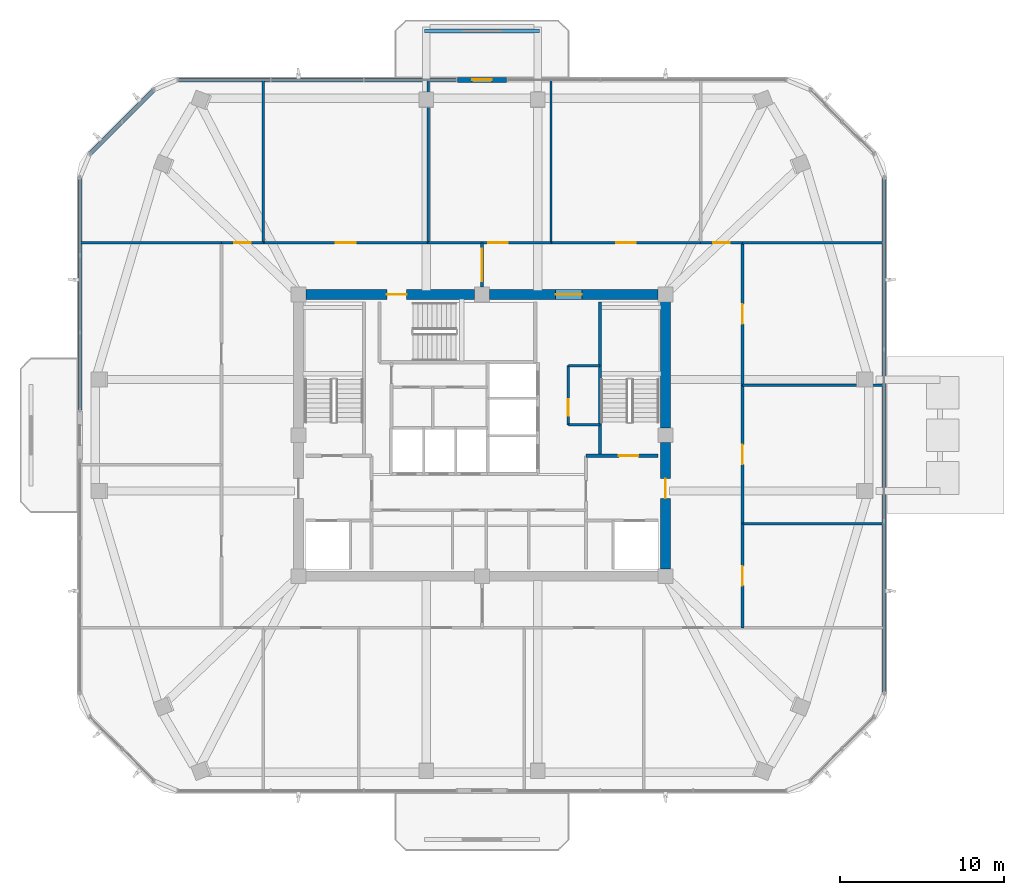
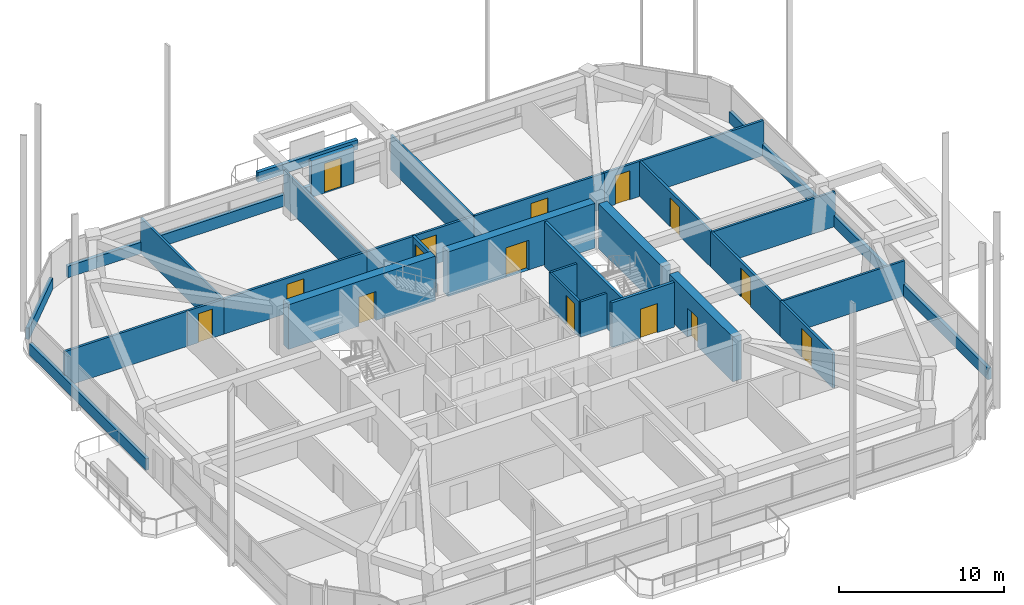
# One storey, part 9 of 14: 31 walls, 15 doors, 15 openings.
"""IFC4 building model written with IfcOpenShell, lengths in metres."""

from ifc_helpers import new_model, si_unit, derived_unit, direction, frame, frame_2d, origin, place, context, subcontext, project, spatial, rectangle, extrude, material, layer, layer_set, type_object, element, fill, save


model = new_model("IFC4")

# Units and contexts
model_context = context("Model", 3, precision=1e-05, world=origin(), true_north=direction((0.0, 1.0)))
body_context = subcontext(model_context, "Body", "Model", "MODEL_VIEW")
ifc_project = project(units=[si_unit("LENGTHUNIT", "METRE"), si_unit("AREAUNIT", "SQUARE_METRE"), si_unit("VOLUMEUNIT", "CUBIC_METRE"), si_unit("PLANEANGLEUNIT", "RADIAN"), si_unit("MASSUNIT", "GRAM", prefix="KILO"), derived_unit("THERMALTRANSMITTANCEUNIT", [(si_unit("POWERUNIT", "WATT"), 1), (si_unit("LENGTHUNIT", "METRE"), -2), (si_unit("THERMODYNAMICTEMPERATUREUNIT", "KELVIN"), -1)])], contexts=[model_context])

# Site, building, storey
site_placement = place(None, origin())
site = spatial("IfcSite", under=ifc_project, at=site_placement, CompositionType="ELEMENT")
building_placement = place(site_placement, origin())
building = spatial("IfcBuilding", under=site, at=building_placement, Name="Koralith Skygarden Medical Center", CompositionType="ELEMENT")
storey_placement = place(building_placement, frame((0.0, 0.0, 192.780029296875)))
storey = spatial("IfcBuildingStorey", under=building, at=storey_placement, Name="L49", CompositionType="ELEMENT", Elevation=192.780029296875)

# Wall, opening, door
ifc_material_1 = material(Name="Gypsum Board Partition")
ifc_layer_1 = layer(ifc_material_1, 0.14990234375)
ifc_layer_set_1 = layer_set([ifc_layer_1], Name="Gypsum Board Partition")
wall_type_1 = type_object("IfcWallType", Name="Clinical Acoustic Partition 150", PredefinedType="PARTITIONING", material=ifc_layer_set_1)
wall_1_placement = place(storey_placement, frame((42.27001953125, 26.5400390625, 0.0), z_axis=(0.0, 0.0, 1.0), x_axis=(0.0, 1.0, 0.0)))
wall_1 = element("IfcWall", 1, at=wall_1_placement, inside=storey, type_object=wall_type_1, Name="L49 Clinical Acoustic Partition 150 W-CORE-L49-ESUB-W", PredefinedType="PARTITIONING", context=body_context, shape_type="SweptSolid", body=[
    extrude(rectangle(XDim=3.619873046875, YDim=0.14990234375, at=frame_2d((1.81005859375, 0.0))), origin(), (0.0, 0.0, 1.0), 2.60986328125),
])
opening_1_placement = place(wall_1_placement, frame((0.550048828125, 0.0, 0.0)))
opening_1 = element("IfcOpeningElement", 2, at=opening_1_placement, cuts=wall_1, Name="Opening D-SUP", PredefinedType="OPENING", context=body_context, shape_type="SweptSolid", body=[
    extrude(rectangle(XDim=1.0, YDim=2.14990234375, at=frame_2d((0.5, 1.074951171875))), frame((0.0, 0.0849609375, 0.0), z_axis=(0.0, -1.0, 0.0), x_axis=(1.0, 0.0, 0.0)), (0.0, 0.0, 1.0), 0.169921875),
])
ifc_material_2 = material(Name="Aluminium 6063-T6", Category="aluminium")
door_type_1 = type_object("IfcDoorType", Name="Clinical Support Door D-SUP 1000", OperationType="NOTDEFINED", PredefinedType="DOOR", material=ifc_material_2)
door_1_placement = place(opening_1_placement, origin())
door_1 = element("IfcDoor", 3, at=door_1_placement, inside=storey, type_object=door_type_1, Name="L49 Core Equipment Store Door", OperationType="SINGLE_SWING_LEFT", OverallHeight=2.14990234375, OverallWidth=1.0, PredefinedType="DOOR", context=body_context, shape_type="SweptSolid", body=[
    extrude(rectangle(XDim=1.0, YDim=2.14990234375, at=frame_2d((0.5, 1.074951171875))), frame((0.0, 0.02490234375, 0.0), z_axis=(0.0, -1.0, 0.0), x_axis=(1.0, 0.0, 0.0)), (0.0, 0.0, 1.0), 0.050048828125),
])
fill(opening_1, door_1)

# Walls
for number, where, z_axis, x_axis, name in (
    (4, (42.27001953125, 26.5400390625, 0.0), (0.0, 0.0, 1.0), (1.0, 0.0, 0.0), "L49 Clinical Acoustic Partition 150 W-CORE-L49-ESUB-S"),
    (5, (42.27001953125, 30.159912109375, 0.0), (0.0, 0.0, 1.0), (1.0, 0.0, 0.0), "L49 Clinical Acoustic Partition 150 W-CORE-L49-ESUB-N"),
):
    element("IfcWall", number, at=place(storey_placement, frame(where, z_axis=z_axis, x_axis=x_axis)), inside=storey, type_object=wall_type_1, Name=name, PredefinedType="PARTITIONING", context=body_context, shape_type="SweptSolid", body=[
        extrude(rectangle(XDim=1.929931640625, YDim=0.14990234375, at=frame_2d((0.96484375, 0.0))), origin(), (0.0, 0.0, 1.0), 2.60986328125),
    ])
for number, where, z_axis, x_axis, name in (
    (6, (23.64990234375, 37.64990234375, 0.0), (0.0, 0.0, 1.0), (0.0, 1.0, 0.0), "L49 Clinical Acoustic Partition 150 W-PART-L49-N-01"),
    (7, (33.708984375, 37.64990234375, 0.0), (0.0, 0.0, 1.0), (0.0, 1.0, 0.0), "L49 Clinical Acoustic Partition 150 W-PART-L49-N-02"),
    (8, (41.2119140625, 37.64990234375, 0.0), (0.0, 0.0, 1.0), (0.0, 1.0, 0.0), "L49 Clinical Acoustic Partition 150 W-PART-L49-N-03"),
):
    element("IfcWall", number, at=place(storey_placement, frame(where, z_axis=z_axis, x_axis=x_axis)), inside=storey, type_object=wall_type_1, Name=name, PredefinedType="PARTITIONING", context=body_context, shape_type="SweptSolid", body=[
        extrude(rectangle(XDim=9.925048828125, YDim=0.14990234375, at=frame_2d((4.96240234375, 0.0))), origin(), (0.0, 0.0, 1.0), 2.60986328125),
    ])
for number, where, z_axis, x_axis, name in (
    (9, (52.89990234375, 20.4951171875, 0.0), (0.0, 0.0, 1.0), (1.0, 0.0, 0.0), "L49 Clinical Acoustic Partition 150 W-PART-L49-E-01"),
    (10, (52.89990234375, 28.955078125, 0.0), (0.0, 0.0, 1.0), (1.0, 0.0, 0.0), "L49 Clinical Acoustic Partition 150 W-PART-L49-E-02"),
):
    element("IfcWall", number, at=place(storey_placement, frame(where, z_axis=z_axis, x_axis=x_axis)), inside=storey, type_object=wall_type_1, Name=name, PredefinedType="PARTITIONING", context=body_context, shape_type="SweptSolid", body=[
        extrude(rectangle(XDim=8.623046875, YDim=0.14990234375, at=frame_2d((4.3115234375, 0.0))), origin(), (0.0, 0.0, 1.0), 2.60986328125),
    ])
ifc_layer_2 = layer(ifc_material_1, 0.1650390625)
ifc_layer_set_2 = layer_set([ifc_layer_2], Name="Gypsum Board Partition")
wall_type_2 = type_object("IfcWallType", Name="Clinical Corridor Partition 165", PredefinedType="PARTITIONING", material=ifc_layer_set_2)
wall_2_placement = place(storey_placement, frame((12.47607421875, 37.64990234375, 0.0), z_axis=(0.0, 0.0, 1.0), x_axis=(1.0, 0.0, 0.0)))
element("IfcWall", 11, at=wall_2_placement, inside=storey, type_object=wall_type_2, Name="L49 Clinical Corridor Partition 165 W-WB-L49-NW", PredefinedType="PARTITIONING", context=body_context, shape_type="SweptSolid", body=[
    extrude(rectangle(XDim=8.6240234375, YDim=0.1650390625, at=frame_2d((4.31201171875, 0.0))), origin(), (0.0, 0.0, 1.0), 2.60986328125),
])
wall_3_placement = place(storey_placement, frame((52.89990234375, 37.64990234375, 0.0), z_axis=(0.0, 0.0, 1.0), x_axis=(1.0, 0.0, 0.0)))
element("IfcWall", 12, at=wall_3_placement, inside=storey, type_object=wall_type_2, Name="L49 Clinical Corridor Partition 165 W-WB-L49-NE", PredefinedType="PARTITIONING", context=body_context, shape_type="SweptSolid", body=[
    extrude(rectangle(XDim=8.623046875, YDim=0.1650390625, at=frame_2d((4.3115234375, 0.0))), origin(), (0.0, 0.0, 1.0), 2.60986328125),
])

# Wall, opening, door
wall_4_placement = place(storey_placement, frame((21.10009765625, 37.64990234375, 0.0), z_axis=(0.0, 0.0, 1.0), x_axis=(1.0, 0.0, 0.0)))
wall_4 = element("IfcWall", 13, at=wall_4_placement, inside=storey, type_object=wall_type_2, Name="L49 Clinical Corridor Partition 165 W-CORR-L49-N-01", PredefinedType="PARTITIONING", context=body_context, shape_type="SweptSolid", body=[
    extrude(rectangle(XDim=2.5498046875, YDim=0.1650390625, at=frame_2d((1.27490234375, 0.0))), origin(), (0.0, 0.0, 1.0), 2.60986328125),
])
opening_2_placement = place(wall_4_placement, frame((0.77490234375, 0.0, 0.0)))
opening_2 = element("IfcOpeningElement", 14, at=opening_2_placement, cuts=wall_4, Name="Opening D-SUP", PredefinedType="OPENING", context=body_context, shape_type="SweptSolid", body=[
    extrude(rectangle(XDim=1.0, YDim=2.14990234375, at=frame_2d((0.5, 1.074951171875))), frame((0.0, 0.092529296875, 0.0), z_axis=(0.0, -1.0, 0.0), x_axis=(1.0, 0.0, 0.0)), (0.0, 0.0, 1.0), 0.18505859375),
])
door_2_placement = place(opening_2_placement, origin())
door_2 = element("IfcDoor", 15, at=door_2_placement, inside=storey, type_object=door_type_1, Name="L49 Bariatric Nutrition Teaching Pantry 01 Door", OperationType="SINGLE_SWING_RIGHT", OverallHeight=2.14990234375, OverallWidth=1.0, PredefinedType="DOOR", context=body_context, shape_type="SweptSolid", body=[
    extrude(rectangle(XDim=1.0, YDim=2.14990234375, at=frame_2d((0.5, 1.074951171875))), frame((0.0, 0.02490234375, 0.0), z_axis=(0.0, -1.0, 0.0), x_axis=(1.0, 0.0, 0.0)), (0.0, 0.0, 1.0), 0.050048828125),
])
fill(opening_2, door_2)

wall_5_placement = place(storey_placement, frame((23.64990234375, 37.64990234375, 0.0), z_axis=(0.0, 0.0, 1.0), x_axis=(1.0, 0.0, 0.0)))
wall_5 = element("IfcWall", 16, at=wall_5_placement, inside=storey, type_object=wall_type_2, Name="L49 Clinical Corridor Partition 165 W-CORR-L49-N-02", PredefinedType="PARTITIONING", context=body_context, shape_type="SweptSolid", body=[
    extrude(rectangle(XDim=10.05908203125, YDim=0.1650390625, at=frame_2d((5.029541015625, 0.0))), origin(), (0.0, 0.0, 1.0), 2.60986328125),
])
opening_3_placement = place(wall_5_placement, frame((4.429931640625, 0.0, 0.0)))
opening_3 = element("IfcOpeningElement", 17, at=opening_3_placement, cuts=wall_5, Name="Opening D-CLN", PredefinedType="OPENING", context=body_context, shape_type="SweptSolid", body=[
    extrude(rectangle(XDim=1.199951171875, YDim=2.14990234375, at=frame_2d((0.60009765625, 1.074951171875))), frame((0.0, 0.092529296875, 0.0), z_axis=(0.0, -1.0, 0.0), x_axis=(1.0, 0.0, 0.0)), (0.0, 0.0, 1.0), 0.18505859375),
])
door_type_2 = type_object("IfcDoorType", Name="Clinical Corridor Door D-CLN 1200", OperationType="NOTDEFINED", PredefinedType="DOOR", material=ifc_material_2)
door_3_placement = place(opening_3_placement, origin())
door_3 = element("IfcDoor", 18, at=door_3_placement, inside=storey, type_object=door_type_2, Name="L49 Clinical Dietetics Pantry 02 Door", OperationType="SINGLE_SWING_LEFT", OverallHeight=2.14990234375, OverallWidth=1.199951171875, PredefinedType="DOOR", context=body_context, shape_type="SweptSolid", body=[
    extrude(rectangle(XDim=1.199951171875, YDim=2.14990234375, at=frame_2d((0.60009765625, 1.074951171875))), frame((0.0, 0.02490234375, 0.0), z_axis=(0.0, -1.0, 0.0), x_axis=(1.0, 0.0, 0.0)), (0.0, 0.0, 1.0), 0.050048828125),
])
fill(opening_3, door_3)

wall_6_placement = place(storey_placement, frame((33.708984375, 37.64990234375, 0.0), z_axis=(0.0, 0.0, 1.0), x_axis=(1.0, 0.0, 0.0)))
wall_6 = element("IfcWall", 19, at=wall_6_placement, inside=storey, type_object=wall_type_2, Name="L49 Clinical Corridor Partition 165 W-CORR-L49-N-03", PredefinedType="PARTITIONING", context=body_context, shape_type="SweptSolid", body=[
    extrude(rectangle(XDim=7.5029296875, YDim=0.1650390625, at=frame_2d((3.75146484375, 0.0))), origin(), (0.0, 0.0, 1.0), 2.60986328125),
])
opening_4_placement = place(wall_6_placement, frame((3.6630859375, 0.0, 0.0)))
opening_4 = element("IfcOpeningElement", 20, at=opening_4_placement, cuts=wall_6, Name="Opening D-CLN", PredefinedType="OPENING", context=body_context, shape_type="SweptSolid", body=[
    extrude(rectangle(XDim=1.199951171875, YDim=2.14990234375, at=frame_2d((0.60009765625, 1.074951171875))), frame((0.0, 0.092529296875, 0.0), z_axis=(0.0, -1.0, 0.0), x_axis=(1.0, 0.0, 0.0)), (0.0, 0.0, 1.0), 0.18505859375),
])
door_4_placement = place(opening_4_placement, origin())
door_4 = element("IfcDoor", 21, at=door_4_placement, inside=storey, type_object=door_type_2, Name="L49 Patient and Family Sky-Garden Day Lounge 03 Door", OperationType="SINGLE_SWING_RIGHT", OverallHeight=2.14990234375, OverallWidth=1.199951171875, PredefinedType="DOOR", context=body_context, shape_type="SweptSolid", body=[
    extrude(rectangle(XDim=1.199951171875, YDim=2.14990234375, at=frame_2d((0.60009765625, 1.074951171875))), frame((0.0, 0.02490234375, 0.0), z_axis=(0.0, -1.0, 0.0), x_axis=(1.0, 0.0, 0.0)), (0.0, 0.0, 1.0), 0.050048828125),
])
fill(opening_4, door_4)

wall_7_placement = place(storey_placement, frame((41.2119140625, 37.64990234375, 0.0), z_axis=(0.0, 0.0, 1.0), x_axis=(1.0, 0.0, 0.0)))
wall_7 = element("IfcWall", 22, at=wall_7_placement, inside=storey, type_object=wall_type_2, Name="L49 Clinical Corridor Partition 165 W-CORR-L49-N-04", PredefinedType="PARTITIONING", context=body_context, shape_type="SweptSolid", body=[
    extrude(rectangle(XDim=9.13818359375, YDim=0.1650390625, at=frame_2d((4.569091796875, 0.0))), origin(), (0.0, 0.0, 1.0), 2.60986328125),
])
opening_5_placement = place(wall_7_placement, frame((3.968994140625, 0.0, 0.0)))
opening_5 = element("IfcOpeningElement", 23, at=opening_5_placement, cuts=wall_7, Name="Opening D-CLN", PredefinedType="OPENING", context=body_context, shape_type="SweptSolid", body=[
    extrude(rectangle(XDim=1.199951171875, YDim=2.14990234375, at=frame_2d((0.60009765625, 1.074951171875))), frame((0.0, 0.092529296875, 0.0), z_axis=(0.0, -1.0, 0.0), x_axis=(1.0, 0.0, 0.0)), (0.0, 0.0, 1.0), 0.18505859375),
])
door_5_placement = place(opening_5_placement, origin())
door_5 = element("IfcDoor", 24, at=door_5_placement, inside=storey, type_object=door_type_2, Name="L49 Metabolic Health Classroom 04 Door", OperationType="SINGLE_SWING_LEFT", OverallHeight=2.14990234375, OverallWidth=1.199951171875, PredefinedType="DOOR", context=body_context, shape_type="SweptSolid", body=[
    extrude(rectangle(XDim=1.199951171875, YDim=2.14990234375, at=frame_2d((0.60009765625, 1.074951171875))), frame((0.0, 0.02490234375, 0.0), z_axis=(0.0, -1.0, 0.0), x_axis=(1.0, 0.0, 0.0)), (0.0, 0.0, 1.0), 0.050048828125),
])
fill(opening_5, door_5)

wall_8_placement = place(storey_placement, frame((50.35009765625, 37.64990234375, 0.0), z_axis=(0.0, 0.0, 1.0), x_axis=(1.0, 0.0, 0.0)))
wall_8 = element("IfcWall", 25, at=wall_8_placement, inside=storey, type_object=wall_type_2, Name="L49 Clinical Corridor Partition 165 W-CORR-L49-N-05", PredefinedType="PARTITIONING", context=body_context, shape_type="SweptSolid", body=[
    extrude(rectangle(XDim=2.5498046875, YDim=0.1650390625, at=frame_2d((1.27490234375, 0.0))), origin(), (0.0, 0.0, 1.0), 2.60986328125),
])
opening_6_placement = place(wall_8_placement, frame((0.77490234375, 0.0, 0.0)))
opening_6 = element("IfcOpeningElement", 26, at=opening_6_placement, cuts=wall_8, Name="Opening D-SUP", PredefinedType="OPENING", context=body_context, shape_type="SweptSolid", body=[
    extrude(rectangle(XDim=1.0, YDim=2.14990234375, at=frame_2d((0.5, 1.074951171875))), frame((0.0, 0.092529296875, 0.0), z_axis=(0.0, -1.0, 0.0), x_axis=(1.0, 0.0, 0.0)), (0.0, 0.0, 1.0), 0.18505859375),
])
door_6_placement = place(opening_6_placement, origin())
door_6 = element("IfcDoor", 27, at=door_6_placement, inside=storey, type_object=door_type_1, Name="L49 Outpatient Education Lounge 05 Door", OperationType="SINGLE_SWING_RIGHT", OverallHeight=2.14990234375, OverallWidth=1.0, PredefinedType="DOOR", context=body_context, shape_type="SweptSolid", body=[
    extrude(rectangle(XDim=1.0, YDim=2.14990234375, at=frame_2d((0.5, 1.074951171875))), frame((0.0, 0.02490234375, 0.0), z_axis=(0.0, -1.0, 0.0), x_axis=(1.0, 0.0, 0.0)), (0.0, 0.0, 1.0), 0.050048828125),
])
fill(opening_6, door_6)

wall_9_placement = place(storey_placement, frame((52.89990234375, 14.14990234375, 0.0), z_axis=(0.0, 0.0, 1.0), x_axis=(0.0, 1.0, 0.0)))
wall_9 = element("IfcWall", 28, at=wall_9_placement, inside=storey, type_object=wall_type_2, Name="L49 Clinical Corridor Partition 165 W-CORR-L49-E-01", PredefinedType="PARTITIONING", context=body_context, shape_type="SweptSolid", body=[
    extrude(rectangle(XDim=6.34521484375, YDim=0.1650390625, at=frame_2d((3.172607421875, 0.0))), origin(), (0.0, 0.0, 1.0), 2.60986328125),
])
opening_7_placement = place(wall_9_placement, frame((2.572998046875, 0.0, 0.0)))
opening_7 = element("IfcOpeningElement", 29, at=opening_7_placement, cuts=wall_9, Name="Opening D-CLN", PredefinedType="OPENING", context=body_context, shape_type="SweptSolid", body=[
    extrude(rectangle(XDim=1.199951171875, YDim=2.14990234375, at=frame_2d((0.60009765625, 1.074951171875))), frame((0.0, 0.092529296875, 0.0), z_axis=(0.0, -1.0, 0.0), x_axis=(1.0, 0.0, 0.0)), (0.0, 0.0, 1.0), 0.18505859375),
])
door_7_placement = place(opening_7_placement, origin())
door_7 = element("IfcDoor", 30, at=door_7_placement, inside=storey, type_object=door_type_2, Name="L49 Clinical Dietetics Pantry 13 Door", OperationType="SINGLE_SWING_RIGHT", OverallHeight=2.14990234375, OverallWidth=1.199951171875, PredefinedType="DOOR", context=body_context, shape_type="SweptSolid", body=[
    extrude(rectangle(XDim=1.199951171875, YDim=2.14990234375, at=frame_2d((0.60009765625, 1.074951171875))), frame((0.0, 0.02490234375, 0.0), z_axis=(0.0, -1.0, 0.0), x_axis=(1.0, 0.0, 0.0)), (0.0, 0.0, 1.0), 0.050048828125),
])
fill(opening_7, door_7)

wall_10_placement = place(storey_placement, frame((52.89990234375, 20.4951171875, 0.0), z_axis=(0.0, 0.0, 1.0), x_axis=(0.0, 1.0, 0.0)))
wall_10 = element("IfcWall", 31, at=wall_10_placement, inside=storey, type_object=wall_type_2, Name="L49 Clinical Corridor Partition 165 W-CORR-L49-E-02", PredefinedType="PARTITIONING", context=body_context, shape_type="SweptSolid", body=[
    extrude(rectangle(XDim=8.4599609375, YDim=0.1650390625, at=frame_2d((4.22998046875, 0.0))), origin(), (0.0, 0.0, 1.0), 2.60986328125),
])
opening_8_placement = place(wall_10_placement, frame((3.6298828125, 0.0, 0.0)))
opening_8 = element("IfcOpeningElement", 32, at=opening_8_placement, cuts=wall_10, Name="Opening D-CLN", PredefinedType="OPENING", context=body_context, shape_type="SweptSolid", body=[
    extrude(rectangle(XDim=1.199951171875, YDim=2.14990234375, at=frame_2d((0.60009765625, 1.074951171875))), frame((0.0, 0.092529296875, 0.0), z_axis=(0.0, -1.0, 0.0), x_axis=(1.0, 0.0, 0.0)), (0.0, 0.0, 1.0), 0.18505859375),
])
door_8_placement = place(opening_8_placement, origin())
door_8 = element("IfcDoor", 33, at=door_8_placement, inside=storey, type_object=door_type_2, Name="L49 Metabolic Health Classroom 14 Door", OperationType="SINGLE_SWING_LEFT", OverallHeight=2.14990234375, OverallWidth=1.199951171875, PredefinedType="DOOR", context=body_context, shape_type="SweptSolid", body=[
    extrude(rectangle(XDim=1.199951171875, YDim=2.14990234375, at=frame_2d((0.60009765625, 1.074951171875))), frame((0.0, 0.02490234375, 0.0), z_axis=(0.0, -1.0, 0.0), x_axis=(1.0, 0.0, 0.0)), (0.0, 0.0, 1.0), 0.050048828125),
])
fill(opening_8, door_8)

wall_11_placement = place(storey_placement, frame((52.89990234375, 28.955078125, 0.0), z_axis=(0.0, 0.0, 1.0), x_axis=(0.0, 1.0, 0.0)))
wall_11 = element("IfcWall", 34, at=wall_11_placement, inside=storey, type_object=wall_type_2, Name="L49 Clinical Corridor Partition 165 W-CORR-L49-E-03", PredefinedType="PARTITIONING", context=body_context, shape_type="SweptSolid", body=[
    extrude(rectangle(XDim=8.69482421875, YDim=0.1650390625, at=frame_2d((4.347412109375, 0.0))), origin(), (0.0, 0.0, 1.0), 2.60986328125),
])
opening_9_placement = place(wall_11_placement, frame((3.748046875, 0.0, 0.0)))
opening_9 = element("IfcOpeningElement", 35, at=opening_9_placement, cuts=wall_11, Name="Opening D-CLN", PredefinedType="OPENING", context=body_context, shape_type="SweptSolid", body=[
    extrude(rectangle(XDim=1.199951171875, YDim=2.14990234375, at=frame_2d((0.60009765625, 1.074951171875))), frame((0.0, 0.092529296875, 0.0), z_axis=(0.0, -1.0, 0.0), x_axis=(1.0, 0.0, 0.0)), (0.0, 0.0, 1.0), 0.18505859375),
])
door_9_placement = place(opening_9_placement, origin())
door_9 = element("IfcDoor", 36, at=door_9_placement, inside=storey, type_object=door_type_2, Name="L49 Outpatient Education Lounge 15 Door", OperationType="SINGLE_SWING_RIGHT", OverallHeight=2.14990234375, OverallWidth=1.199951171875, PredefinedType="DOOR", context=body_context, shape_type="SweptSolid", body=[
    extrude(rectangle(XDim=1.199951171875, YDim=2.14990234375, at=frame_2d((0.60009765625, 1.074951171875))), frame((0.0, 0.02490234375, 0.0), z_axis=(0.0, -1.0, 0.0), x_axis=(1.0, 0.0, 0.0)), (0.0, 0.0, 1.0), 0.050048828125),
])
fill(opening_9, door_9)

ifc_layer_3 = layer(ifc_material_1, 0.179931640625)
ifc_layer_set_3 = layer_set([ifc_layer_3], Name="Gypsum Board Partition")
wall_type_3 = type_object("IfcWallType", Name="Group I-2 Smoke Barrier Wall 180", PredefinedType="PARTITIONING", material=ifc_layer_set_3)
wall_12_placement = place(storey_placement, frame((37.0, 34.949951171875, 0.0), z_axis=(0.0, 0.0, 1.0), x_axis=(0.0, 1.0, 0.0)))
wall_12 = element("IfcWall", 37, at=wall_12_placement, inside=storey, type_object=wall_type_3, Name="L49 Group I-2 Smoke Barrier Wall 180 W-SMK-L49-N", PredefinedType="PARTITIONING", context=body_context, shape_type="SweptSolid", body=[
    extrude(rectangle(XDim=2.699951171875, YDim=0.179931640625, at=frame_2d((1.35009765625, 0.0))), origin(), (0.0, 0.0, 1.0), 2.60986328125),
])
opening_10_placement = place(wall_12_placement, frame((0.35009765625, 0.0, 0.0)))
opening_10 = element("IfcOpeningElement", 38, at=opening_10_placement, cuts=wall_12, Name="Opening D-SMK", PredefinedType="OPENING", context=body_context, shape_type="SweptSolid", body=[
    extrude(rectangle(XDim=2.0, YDim=2.199951171875, at=frame_2d((1.0, 1.10009765625))), frame((0.0, 0.099853515625, 0.0), z_axis=(0.0, -1.0, 0.0), x_axis=(1.0, 0.0, 0.0)), (0.0, 0.0, 1.0), 0.199951171875),
])
ifc_material_3 = material(Name="Steel ASTM A500 Grade C", Category="steel")
door_type_3 = type_object("IfcDoorType", Name="Cross-Corridor Double Smoke Door FD60S 2000", OperationType="NOTDEFINED", PredefinedType="DOOR", material=ifc_material_3)
door_10_placement = place(opening_10_placement, origin())
door_10 = element("IfcDoor", 39, at=door_10_placement, inside=storey, type_object=door_type_3, Name="L49 N Smoke Compartment Cross-Corridor Door", OperationType="DOUBLE_DOOR_SINGLE_SWING", OverallHeight=2.199951171875, OverallWidth=2.0, PredefinedType="DOOR", context=body_context, shape_type="SweptSolid", body=[
    extrude(rectangle(XDim=2.0, YDim=2.199951171875, at=frame_2d((1.0, 1.10009765625))), frame((0.0, 0.02490234375, 0.0), z_axis=(0.0, -1.0, 0.0), x_axis=(1.0, 0.0, 0.0)), (0.0, 0.0, 1.0), 0.050048828125),
])
fill(opening_10, door_10)

# Walls
ifc_material_4 = material(Name="Warm Oolitic Limestone Cladding", Category="masonry")
ifc_layer_4 = layer(ifc_material_4, 0.239990234375)
ifc_layer_set_4 = layer_set([ifc_layer_4], Name="Warm Oolitic Limestone Cladding")
wall_type_4 = type_object("IfcWallType", Name="Limestone Spandrel Sill Backup Wall 240", PredefinedType="SOLIDWALL", material=ifc_layer_set_4)
wall_13_placement = place(storey_placement, frame((61.5439453125, 10.180908203125, 0.0), z_axis=(0.0, 0.0, 1.0), x_axis=(0.0, 1.0, 0.0)))
element("IfcWall", 40, at=wall_13_placement, inside=storey, type_object=wall_type_4, Name="L49 Sill Spandrel E", PredefinedType="SOLIDWALL", context=body_context, shape_type="SweptSolid", body=[
    extrude(rectangle(XDim=31.43798828125, YDim=0.239990234375, at=frame_2d((15.718994140625, 0.0))), origin(), (0.0, 0.0, 1.0), 0.849853515625),
])
wall_14_placement = place(storey_placement, frame((35.4599609375, 47.593994140625, 0.0), z_axis=(0.0, 0.0, 1.0), x_axis=(-1.0, 0.0, 0.0)))
element("IfcWall", 41, at=wall_14_placement, inside=storey, type_object=wall_type_4, Name="L49 Sill Spandrel N-R", PredefinedType="SOLIDWALL", context=body_context, shape_type="SweptSolid", body=[
    extrude(rectangle(XDim=17.028076171875, YDim=0.239990234375, at=frame_2d((8.51416015625, 0.0))), origin(), (0.0, 0.0, 1.0), 0.849853515625),
])
wall_15_placement = place(storey_placement, frame((16.98095703125, 46.992919921875, 0.0), z_axis=(0.0, 0.0, 1.0), x_axis=(-0.707106781187, -0.707106781187, 0.0)))
element("IfcWall", 42, at=wall_15_placement, inside=storey, type_object=wall_type_4, Name="L49 Sill Spandrel NW", PredefinedType="SOLIDWALL", context=body_context, shape_type="SweptSolid", body=[
    extrude(rectangle(XDim=5.5478515625, YDim=0.239990234375, at=frame_2d((2.77392578125, 0.0))), origin(), (0.0, 0.0, 1.0), 0.849853515625),
])
wall_16_placement = place(storey_placement, frame((12.4560546875, 41.618896484375, 0.0), z_axis=(0.0, 0.0, 1.0), x_axis=(0.0, -1.0, 0.0)))
element("IfcWall", 43, at=wall_16_placement, inside=storey, type_object=wall_type_4, Name="L49 Sill Spandrel W-L", PredefinedType="SOLIDWALL", context=body_context, shape_type="SweptSolid", body=[
    extrude(rectangle(XDim=14.178955078125, YDim=0.239990234375, at=frame_2d((7.08935546875, 0.0))), origin(), (0.0, 0.0, 1.0), 0.849853515625),
])

# Wall, opening, door
ifc_layer_5 = layer(ifc_material_4, 0.300048828125)
ifc_layer_set_5 = layer_set([ifc_layer_5], Name="Warm Oolitic Limestone Cladding")
wall_type_5 = type_object("IfcWallType", Name="Oolitic Limestone Insulated Facade Wall 300", PredefinedType="SOLIDWALL", material=ifc_layer_set_5)
wall_17_placement = place(storey_placement, frame((38.5, 47.593994140625, 0.0), z_axis=(0.0, 0.0, 1.0), x_axis=(-1.0, 0.0, 0.0)))
wall_17 = element("IfcWall", 44, at=wall_17_placement, inside=storey, type_object=wall_type_5, Name="L49 Terrace Portal Wall N", PredefinedType="SOLIDWALL", context=body_context, shape_type="SweptSolid", body=[
    extrude(rectangle(XDim=3.0, YDim=0.300048828125, at=frame_2d((1.5, 0.0))), origin(), (0.0, 0.0, 1.0), 2.68994140625),
])
opening_11_placement = place(wall_17_placement, frame((0.89990234375, 0.0, 0.0)))
opening_11 = element("IfcOpeningElement", 45, at=opening_11_placement, cuts=wall_17, Name="Opening D-BAL", PredefinedType="OPENING", context=body_context, shape_type="SweptSolid", body=[
    extrude(rectangle(XDim=1.199951171875, YDim=2.199951171875, at=frame_2d((0.60009765625, 1.10009765625))), frame((0.0, 0.159912109375, 0.0), z_axis=(0.0, -1.0, 0.0), x_axis=(1.0, 0.0, 0.0)), (0.0, 0.0, 1.0), 0.320068359375),
])
door_type_4 = type_object("IfcDoorType", Name="Planted Balcony Glazed Terrace Door D-BAL 1200", OperationType="NOTDEFINED", PredefinedType="DOOR", material=ifc_material_2)
door_11_placement = place(opening_11_placement, origin())
door_11 = element("IfcDoor", 46, at=door_11_placement, inside=storey, type_object=door_type_4, Name="L49 N Outdoor Terrace Access Door", OperationType="SINGLE_SWING_RIGHT", OverallHeight=2.199951171875, OverallWidth=1.199951171875, PredefinedType="DOOR", context=body_context, shape_type="SweptSolid", body=[
    extrude(rectangle(XDim=1.199951171875, YDim=2.199951171875, at=frame_2d((0.60009765625, 1.10009765625))), frame((0.0, 0.02490234375, 0.0), z_axis=(0.0, -1.0, 0.0), x_axis=(1.0, 0.0, 0.0)), (0.0, 0.0, 1.0), 0.050048828125),
])
fill(opening_11, door_11)

# Walls
ifc_material_5 = material(Name="Precast concrete C40/50", Category="concrete")
ifc_layer_6 = layer(ifc_material_5, 0.25)
ifc_layer_set_6 = layer_set([ifc_layer_6], Name="Precast concrete C40/50")
wall_type_6 = type_object("IfcWallType", Name="Structural Concrete Balcony Planter Kerb 250", PredefinedType="PARAPET", material=ifc_layer_set_6)
wall_18_placement = place(storey_placement, frame((33.5, 50.574951171875, 0.0), z_axis=(0.0, 0.0, 1.0), x_axis=(1.0, 0.0, 0.0)))
element("IfcWall", 47, at=wall_18_placement, inside=storey, type_object=wall_type_6, Name="L49 N Structural Tree PLANTER Box", PredefinedType="PARAPET", context=body_context, shape_type="SweptSolid", body=[
    extrude(rectangle(XDim=7.0, YDim=0.25, at=frame_2d((3.5, 0.0))), origin(), (0.0, 0.0, 1.0), 0.719970703125),
])
ifc_material_6 = material(Name="Concrete C45/55", Category="concrete")
ifc_layer_7 = layer(ifc_material_6, 0.199951171875)
ifc_layer_set_7 = layer_set([ifc_layer_7], Name="Concrete C45/55")
wall_type_7 = type_object("IfcWallType", Name="Structural Stair Shaft Wall 200", PredefinedType="SHEAR", material=ifc_layer_set_7)
wall_19_placement = place(storey_placement, frame((44.199951171875, 24.64990234375, 0.0), z_axis=(0.0, 0.0, 1.0), x_axis=(0.0, 1.0, 0.0)))
element("IfcWall", 48, at=wall_19_placement, inside=storey, type_object=wall_type_7, Name="L49 Structural Stair Shaft Wall 200 W-CORE-L49-ST2-W", PredefinedType="SHEAR", context=body_context, shape_type="SweptSolid", body=[
    extrude(rectangle(XDim=9.400146484375, YDim=0.199951171875, at=frame_2d((4.7001953125, 0.0))), origin(), (0.0, 0.0, 1.0), 3.320068359375),
])

# Wall, opening, door
wall_20_placement = place(storey_placement, frame((43.35009765625, 24.64990234375, 0.0), z_axis=(0.0, 0.0, 1.0), x_axis=(1.0, 0.0, 0.0)))
wall_20 = element("IfcWall", 49, at=wall_20_placement, inside=storey, type_object=wall_type_7, Name="L49 Structural Stair Shaft Wall 200 W-CORE-L49-ST2-S", PredefinedType="SHEAR", context=body_context, shape_type="SweptSolid", body=[
    extrude(rectangle(XDim=4.39990234375, YDim=0.199951171875, at=frame_2d((2.199951171875, 0.0))), origin(), (0.0, 0.0, 1.0), 3.320068359375),
])
opening_12_placement = place(wall_20_placement, frame((2.0, 0.0, 0.0)))
opening_12 = element("IfcOpeningElement", 50, at=opening_12_placement, cuts=wall_20, Name="Opening D-ST60", PredefinedType="OPENING", context=body_context, shape_type="SweptSolid", body=[
    extrude(rectangle(XDim=1.199951171875, YDim=2.14990234375, at=frame_2d((0.60009765625, 1.074951171875))), frame((0.0, 0.10986328125, 0.0), z_axis=(0.0, -1.0, 0.0), x_axis=(1.0, 0.0, 0.0)), (0.0, 0.0, 1.0), 0.219970703125),
])
door_type_5 = type_object("IfcDoorType", Name="Smokeproof Stair Fire Door FD60S 1200", OperationType="NOTDEFINED", PredefinedType="DOOR", material=ifc_material_3)
door_12_placement = place(opening_12_placement, origin())
door_12 = element("IfcDoor", 51, at=door_12_placement, inside=storey, type_object=door_type_5, Name="L49 Exit Stair ST2 Fire Door", OperationType="SINGLE_SWING_RIGHT", OverallHeight=2.14990234375, OverallWidth=1.199951171875, PredefinedType="DOOR", context=body_context, shape_type="SweptSolid", body=[
    extrude(rectangle(XDim=1.199951171875, YDim=2.14990234375, at=frame_2d((0.60009765625, 1.074951171875))), frame((0.0, 0.02490234375, 0.0), z_axis=(0.0, -1.0, 0.0), x_axis=(1.0, 0.0, 0.0)), (0.0, 0.0, 1.0), 0.050048828125),
])
fill(opening_12, door_12)

ifc_material_7 = material(Name="Concrete C55/67", Category="concrete")
ifc_layer_8 = layer(ifc_material_7, 0.60009765625)
ifc_layer_set_8 = layer_set([ifc_layer_8], Name="Concrete C55/67")
wall_type_8 = type_object("IfcWallType", Name="Upper Core Shear Wall 600", PredefinedType="SHEAR", material=ifc_layer_set_8)
wall_21_placement = place(storey_placement, frame((48.199951171875, 17.7451171875, 0.0), z_axis=(0.0, 0.0, 1.0), x_axis=(0.0, 1.0, 0.0)))
wall_21 = element("IfcWall", 52, at=wall_21_placement, inside=storey, type_object=wall_type_8, Name="L49 Core Shear Wall Segment 3", PredefinedType="SHEAR", context=body_context, shape_type="SweptSolid", body=[
    extrude(rectangle(XDim=7.7099609375, YDim=0.60009765625, at=frame_2d((3.85498046875, 0.0))), origin(), (0.0, 0.0, 1.0), 3.320068359375),
])
opening_13_placement = place(wall_21_placement, frame((4.304931640625, 0.0, 0.0)))
opening_13 = element("IfcOpeningElement", 53, at=opening_13_placement, cuts=wall_21, Name="Opening D-ST60", PredefinedType="OPENING", context=body_context, shape_type="SweptSolid", body=[
    extrude(rectangle(XDim=1.199951171875, YDim=2.14990234375, at=frame_2d((0.60009765625, 1.074951171875))), frame((0.0, 0.31005859375, 0.0), z_axis=(0.0, -1.0, 0.0), x_axis=(1.0, 0.0, 0.0)), (0.0, 0.0, 1.0), 0.6201171875),
])
door_13_placement = place(opening_13_placement, frame((1.199951171875, 0.0, 0.0), z_axis=(0.0, 0.0, 1.0), x_axis=(-1.0, 0.0, 0.0)))
door_13 = element("IfcDoor", 54, at=door_13_placement, inside=storey, type_object=door_type_5, Name="L49 East Corridor to Firefighting Lobby Door", OperationType="SINGLE_SWING_RIGHT", OverallHeight=2.14990234375, OverallWidth=1.199951171875, PredefinedType="DOOR", context=body_context, shape_type="SweptSolid", body=[
    extrude(rectangle(XDim=1.199951171875, YDim=2.14990234375, at=frame_2d((0.60009765625, 1.074951171875))), frame((0.0, 0.02490234375, 0.0), z_axis=(0.0, -1.0, 0.0), x_axis=(1.0, 0.0, 0.0)), (0.0, 0.0, 1.0), 0.050048828125),
])
fill(opening_13, door_13)

# Wall
wall_22_placement = place(storey_placement, frame((48.199951171875, 26.344970703125, 0.0), z_axis=(0.0, 0.0, 1.0), x_axis=(0.0, 1.0, 0.0)))
element("IfcWall", 55, at=wall_22_placement, inside=storey, type_object=wall_type_8, Name="L49 Core Shear Wall Segment 4", PredefinedType="SHEAR", context=body_context, shape_type="SweptSolid", body=[
    extrude(rectangle(XDim=7.7099609375, YDim=0.60009765625, at=frame_2d((3.85498046875, 0.0))), origin(), (0.0, 0.0, 1.0), 3.320068359375),
])

# Wall, opening, door
wall_23_placement = place(storey_placement, frame((47.7548828125, 34.5, 0.0), z_axis=(0.0, 0.0, 1.0), x_axis=(-1.0, 0.0, 0.0)))
wall_23 = element("IfcWall", 56, at=wall_23_placement, inside=storey, type_object=wall_type_8, Name="L49 Core Shear Wall Segment 5", PredefinedType="SHEAR", context=body_context, shape_type="SweptSolid", body=[
    extrude(rectangle(XDim=10.309814453125, YDim=0.60009765625, at=frame_2d((5.15478515625, 0.0))), origin(), (0.0, 0.0, 1.0), 3.320068359375),
])
opening_14_placement = place(wall_23_placement, frame((4.655029296875, 0.0, 0.0)))
opening_14 = element("IfcOpeningElement", 57, at=opening_14_placement, cuts=wall_23, Name="Opening D-DBL", PredefinedType="OPENING", context=body_context, shape_type="SweptSolid", body=[
    extrude(rectangle(XDim=1.60009765625, YDim=2.199951171875, at=frame_2d((0.800048828125, 1.10009765625))), frame((0.0, 0.31005859375, 0.0), z_axis=(0.0, -1.0, 0.0), x_axis=(1.0, 0.0, 0.0)), (0.0, 0.0, 1.0), 0.6201171875),
])
door_type_6 = type_object("IfcDoorType", Name="Double Clinical Suite Door D-DBL 1600", OperationType="NOTDEFINED", PredefinedType="DOOR", material=ifc_material_2)
door_14_placement = place(opening_14_placement, frame((1.60009765625, 0.0, 0.0), z_axis=(0.0, 0.0, 1.0), x_axis=(-1.0, 0.0, 0.0)))
door_14 = element("IfcDoor", 58, at=door_14_placement, inside=storey, type_object=door_type_6, Name="L49 North-East Corridor to Elevator Lobby Door", OperationType="DOUBLE_DOOR_SINGLE_SWING", OverallHeight=2.199951171875, OverallWidth=1.60009765625, PredefinedType="DOOR", context=body_context, shape_type="SweptSolid", body=[
    extrude(rectangle(XDim=1.60009765625, YDim=2.199951171875, at=frame_2d((0.800048828125, 1.10009765625))), frame((0.0, 0.02490234375, 0.0), z_axis=(0.0, -1.0, 0.0), x_axis=(1.0, 0.0, 0.0)), (0.0, 0.0, 1.0), 0.050048828125),
])
fill(opening_14, door_14)

wall_24_placement = place(storey_placement, frame((36.554931640625, 34.5, 0.0), z_axis=(0.0, 0.0, 1.0), x_axis=(-1.0, 0.0, 0.0)))
wall_24 = element("IfcWall", 59, at=wall_24_placement, inside=storey, type_object=wall_type_8, Name="L49 Core Shear Wall Segment 6", PredefinedType="SHEAR", context=body_context, shape_type="SweptSolid", body=[
    extrude(rectangle(XDim=10.309814453125, YDim=0.60009765625, at=frame_2d((5.15478515625, 0.0))), origin(), (0.0, 0.0, 1.0), 3.320068359375),
])
opening_15_placement = place(wall_24_placement, frame((4.155029296875, 0.0, 0.0)))
opening_15 = element("IfcOpeningElement", 60, at=opening_15_placement, cuts=wall_24, Name="Opening D-ST60", PredefinedType="OPENING", context=body_context, shape_type="SweptSolid", body=[
    extrude(rectangle(XDim=1.199951171875, YDim=2.14990234375, at=frame_2d((0.60009765625, 1.074951171875))), frame((0.0, 0.31005859375, 0.0), z_axis=(0.0, -1.0, 0.0), x_axis=(1.0, 0.0, 0.0)), (0.0, 0.0, 1.0), 0.6201171875),
])
door_15_placement = place(opening_15_placement, frame((1.199951171875, 0.0, 0.0), z_axis=(0.0, 0.0, 1.0), x_axis=(-1.0, 0.0, 0.0)))
door_15 = element("IfcDoor", 61, at=door_15_placement, inside=storey, type_object=door_type_5, Name="L49 Exit Stair ST3 Fire Door", OperationType="SINGLE_SWING_LEFT", OverallHeight=2.14990234375, OverallWidth=1.199951171875, PredefinedType="DOOR", context=body_context, shape_type="SweptSolid", body=[
    extrude(rectangle(XDim=1.199951171875, YDim=2.14990234375, at=frame_2d((0.60009765625, 1.074951171875))), frame((0.0, 0.02490234375, 0.0), z_axis=(0.0, -1.0, 0.0), x_axis=(1.0, 0.0, 0.0)), (0.0, 0.0, 1.0), 0.050048828125),
])
fill(opening_15, door_15)

save(model, "model.ifc")
